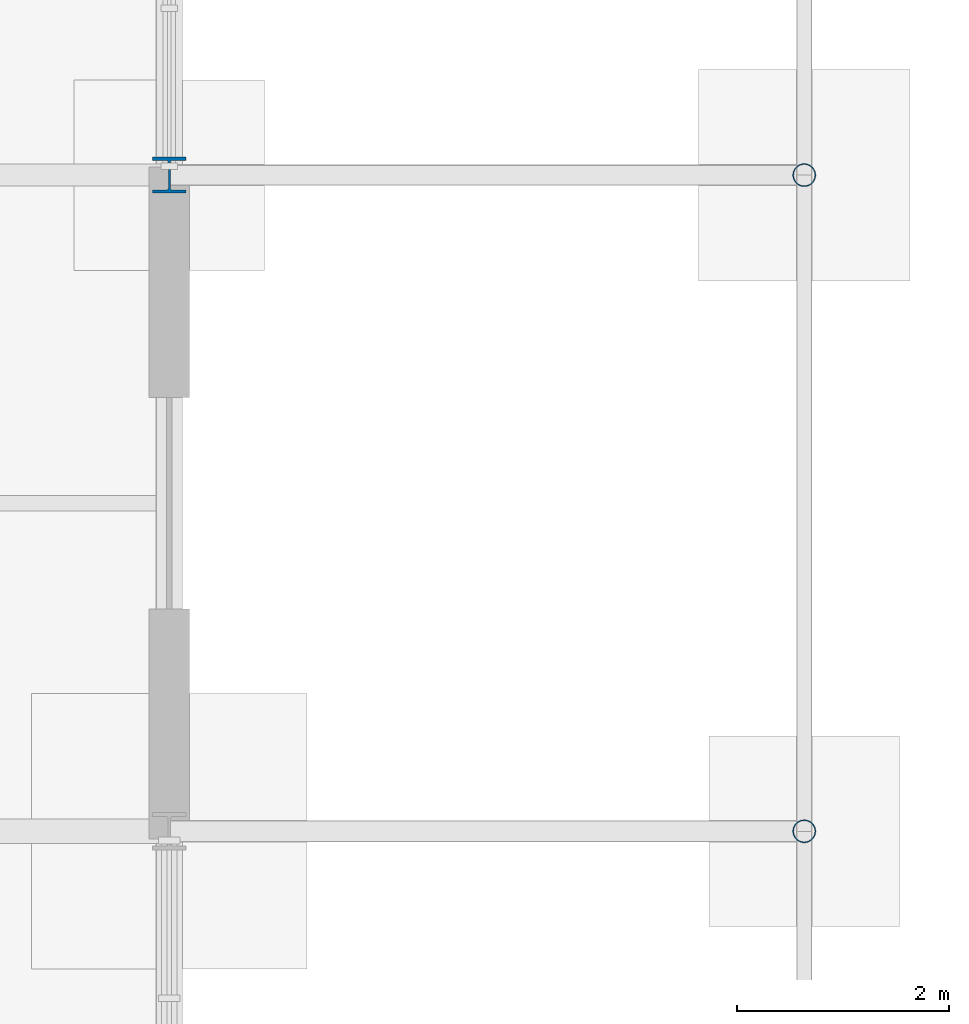
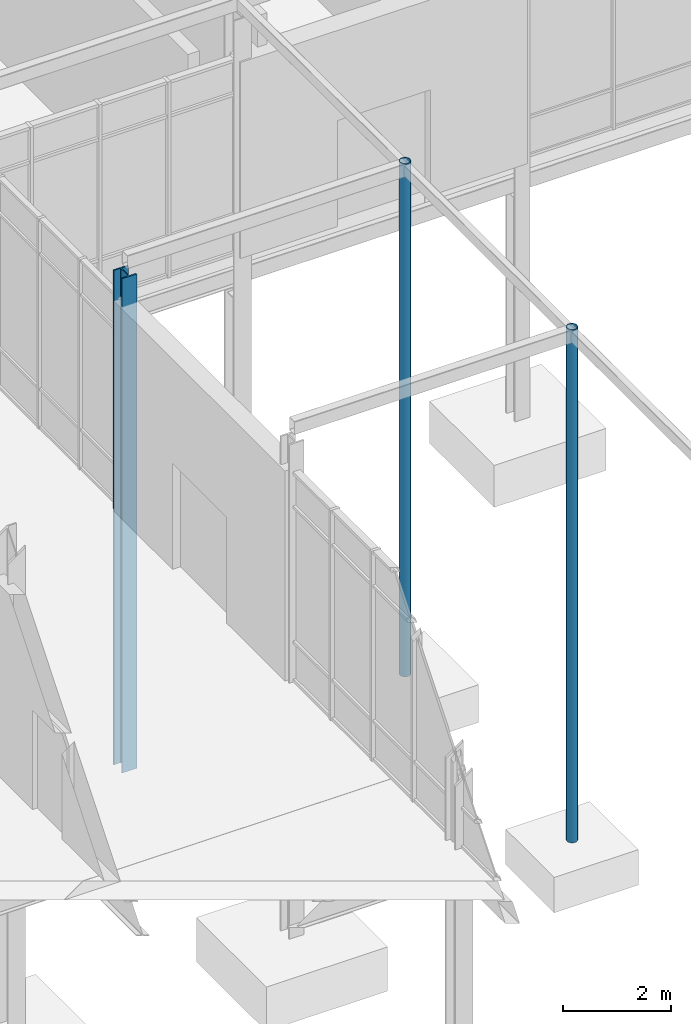
# One storey, part 4 of 98: 3 columns.
"""IFC4 building model written with IfcOpenShell, lengths in metres."""

from ifc_helpers import new_model, si_unit, direction, frame, origin, origin_2d, place, context, subcontext, project, spatial, hollow_circle, i_section, extrude, material, material_profile, profile_set, type_object, element, save


model = new_model("IFC4")

# Units and contexts
model_context = context("Model", 3, precision=1e-05, world=origin(), true_north=direction((0.0, 1.0)))
body_context = subcontext(model_context, "Body", "Model", "MODEL_VIEW")
ifc_project = project(units=[si_unit("LENGTHUNIT", "METRE"), si_unit("AREAUNIT", "SQUARE_METRE"), si_unit("VOLUMEUNIT", "CUBIC_METRE"), si_unit("PLANEANGLEUNIT", "RADIAN"), si_unit("MASSUNIT", "GRAM", prefix="KILO")], contexts=[model_context])

# Site, building, storey
site_placement = place(None, origin())
site = spatial("IfcSite", under=ifc_project, at=site_placement, CompositionType="ELEMENT")
building_placement = place(site_placement, origin())
building = spatial("IfcBuilding", under=site, at=building_placement, Name="Mirzam Square Science Centre", CompositionType="ELEMENT")
storey_placement = place(building_placement, origin())
storey = spatial("IfcBuildingStorey", under=building, at=storey_placement, Name="L00", CompositionType="ELEMENT", Elevation=0.0)

# Columns
ifc_material = material(Name="Steel S355", Category="steel")
ifc_material_profile_1 = material_profile(ifc_material, hollow_circle(Radius=0.109619140625, WallThickness=0.010009765625, at=origin_2d()), Name="219.1x10.0CHS")
ifc_profile_set_1 = profile_set([ifc_material_profile_1], Name="Steel S355")
column_type_1 = type_object("IfcColumnType", Name="COL-CHS219", PredefinedType="COLUMN", material=ifc_profile_set_1)
for number, where, z_axis, x_axis, name in (
    (1, (36.0, 24.800048828125, -5.800048828125), (0.0, 0.0, 1.0), (1.0, 0.0, 0.0), "L00 column G07-05"),
    (2, (36.0, 31.0, -5.800048828125), (0.0, 0.0, 1.0), (1.0, 0.0, 0.0), "L00 column G07-06"),
):
    element("IfcColumn", number, at=place(storey_placement, frame(where, z_axis=z_axis, x_axis=x_axis)), inside=storey, type_object=column_type_1, Name=name, PredefinedType="COLUMN", context=body_context, shape_type="SweptSolid", body=[
        extrude(hollow_circle(Radius=0.109619140625, WallThickness=0.010009765625, at=origin_2d()), origin(), (0.0, 0.0, 1.0), 11.6201171875),
    ])
ifc_material_profile_2 = material_profile(ifc_material, i_section(OverallWidth=0.314453125, OverallDepth=0.33984375, WebThickness=0.01904296875, FlangeThickness=0.031494140625, FilletRadius=0.01513671875, at=origin_2d()), Name="305x305x198UC")
ifc_profile_set_2 = profile_set([ifc_material_profile_2], Name="Steel S355")
column_type_2 = type_object("IfcColumnType", Name="COL-UC305B", PredefinedType="COLUMN", material=ifc_profile_set_2)
column_placement = place(storey_placement, frame((30.0, 31.0, -5.800048828125), z_axis=(0.0, 0.0, 1.0), x_axis=(1.0, 0.0, 0.0)))
element("IfcColumn", 3, at=column_placement, inside=storey, type_object=column_type_2, Name="L00 column G06-06", PredefinedType="COLUMN", context=body_context, shape_type="SweptSolid", body=[
    extrude(i_section(OverallWidth=0.314453125, OverallDepth=0.33984375, WebThickness=0.01904296875, FlangeThickness=0.031494140625, FilletRadius=0.01513671875, at=origin_2d()), origin(), (0.0, 0.0, 1.0), 11.199951171875),
])

save(model, "model.ifc")
